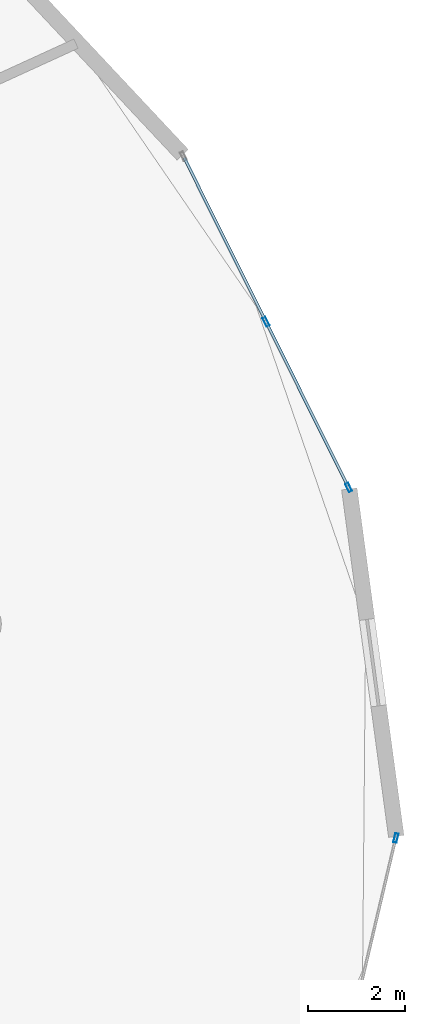
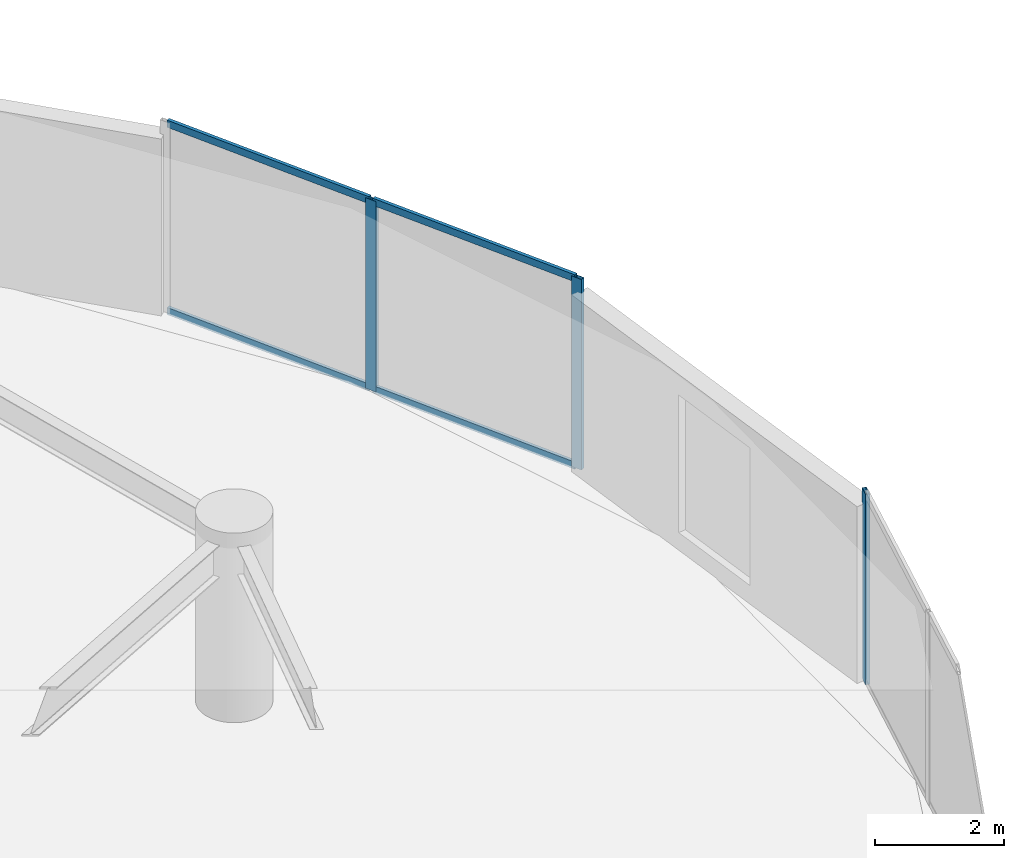
# One storey, part 11 of 24: 7 members, 2 elements without a shape of their own.
"""IFC4 building model written with IfcOpenShell, lengths in metres."""

import ifcopenshell
import ifcopenshell.guid

model = None  # the IFC model being written
_history = None  # IfcOwnerHistory: only IFC2X3 demands one
_inside = {}  # id of a spatial element -> (the spatial element, [elements in it])
_under = {}  # id of a project, library or spatial element -> (it, [spatial elements below it])
_declared = {}  # id of a project -> (the project, [libraries it declares])
_typed = {}  # id of a type object -> (the type object, [elements of that type])
_made_of = {}  # id of a material, layer set ... -> (it, [elements and type objects made of it])


def new_model(schema):
    """Start an empty IFC model of exactly this schema.

    Asked for "IFC4X3", IfcOpenShell would pick the latest addendum, in which some entities
    have other attributes; the version numbers below select the first issue.
    IFC2X3 requires an IfcOwnerHistory on every rooted entity: one is made here for all.
    """
    global model, _history
    if schema == "IFC4X3":
        model = ifcopenshell.file(schema_version=(4, 3, 0, 0))
    else:
        model = ifcopenshell.file(schema=schema)
    _inside.clear()
    _under.clear()
    _declared.clear()
    _typed.clear()
    _made_of.clear()
    _history = None
    if model.schema == "IFC2X3":
        org = make("IfcOrganization", Name="unknown")
        user = make(
            "IfcPersonAndOrganization",
            ThePerson=make("IfcPerson", FamilyName="unknown"),
            TheOrganization=org,
        )
        app = make(
            "IfcApplication",
            ApplicationDeveloper=org,
            Version="unknown",
            ApplicationFullName="unknown",
            ApplicationIdentifier="unknown",
        )
        _history = make(
            "IfcOwnerHistory",
            OwningUser=user,
            OwningApplication=app,
            ChangeAction="ADDED",
            CreationDate=0,
        )
    return model


def make(cls, **values):
    """One entity of the class cls with the attributes given. An attribute that is None is left unset."""
    return model.create_entity(
        cls, **{name: value for name, value in values.items() if value is not None}
    )


def rooted(cls, **values):
    """An entity with a GlobalId (a new one), such as an element, a storey or a relation."""
    return make(cls, GlobalId=ifcopenshell.guid.new(), OwnerHistory=_history, **values)


def si_unit(unit_type, name, prefix=None):
    """IfcSIUnit, for example si_unit("LENGTHUNIT", "METRE", prefix="MILLI")."""
    return make("IfcSIUnit", UnitType=unit_type, Prefix=prefix, Name=name)


def assignment(units):
    """IfcUnitAssignment: the units of a project."""
    return None if units is None else make("IfcUnitAssignment", Units=units)


def point(xyz):
    """IfcCartesianPoint."""
    return None if xyz is None else make("IfcCartesianPoint", Coordinates=xyz)


def direction(xyz):
    """IfcDirection."""
    return None if xyz is None else make("IfcDirection", DirectionRatios=xyz)


def frame(location, z_axis=None, x_axis=None):
    """IfcAxis2Placement3D, a coordinate frame: its origin and axes. An axis left out is left unset."""
    return make(
        "IfcAxis2Placement3D",
        Location=point(location),
        Axis=direction(z_axis),
        RefDirection=direction(x_axis),
    )


def frame_2d(location, x_axis=None):
    """IfcAxis2Placement2D, a coordinate frame in the plane: its origin and x axis."""
    return make(
        "IfcAxis2Placement2D", Location=point(location), RefDirection=direction(x_axis)
    )


def origin():
    """The frame at (0, 0, 0) with its axes left unset."""
    return frame((0.0, 0.0, 0.0))


def origin_2d():
    """The frame at (0, 0) in the plane with its x axis left unset."""
    return frame_2d((0.0, 0.0))


def place(relative_to, where):
    """IfcLocalPlacement: puts the frame where relative to a parent placement (None: the world)."""
    return make(
        "IfcLocalPlacement", PlacementRelTo=relative_to, RelativePlacement=where
    )


def context(
    kind, dimensions, precision=None, world=None, true_north=None, identifier=None
):
    """IfcGeometricRepresentationContext, for example the 3D "Model" context."""
    return make(
        "IfcGeometricRepresentationContext",
        ContextIdentifier=identifier,
        ContextType=kind,
        CoordinateSpaceDimension=dimensions,
        Precision=precision,
        WorldCoordinateSystem=world,
        TrueNorth=true_north,
    )


def subcontext(parent, identifier, kind, view, scale=None):
    """IfcGeometricRepresentationSubContext, for example "Body" below "Model"."""
    return make(
        "IfcGeometricRepresentationSubContext",
        ContextIdentifier=identifier,
        ContextType=kind,
        ParentContext=parent,
        TargetScale=scale,
        TargetView=view,
    )


def project(units=None, contexts=None):
    """IfcProject with its units and contexts."""
    return rooted(
        "IfcProject",
        Name="project",
        RepresentationContexts=contexts,
        UnitsInContext=assignment(units),
    )


def spatial(cls, under=None, at=None, **own):
    """A site, building, storey or space (cls), placed at a placement, below another one or the project."""
    s = rooted(cls, ObjectPlacement=at, **own)
    if under is not None:
        _under.setdefault(under.id(), (under, []))[1].append(s)
    return s


def profile(cls, at=None, kind="AREA", **sizes):
    """A parametric profile (cls). Its sizes go by their IFC names, for example OverallWidth=200.0."""
    return make(cls, ProfileType=kind, Position=at, **sizes)


def hollow_rectangle(**sizes):
    """IfcRectangleHollowProfileDef."""
    return profile("IfcRectangleHollowProfileDef", **sizes)


def extrude(swept, where, along, depth):
    """IfcExtrudedAreaSolid: the profile swept, set in the frame where, extruded along a direction by depth."""
    return make(
        "IfcExtrudedAreaSolid",
        SweptArea=swept,
        Position=where,
        ExtrudedDirection=direction(along),
        Depth=depth,
    )


def shape(context_of_items, identifier, shape_type, items):
    """IfcShapeRepresentation: the items that make up one representation, for example the "Body"."""
    return make(
        "IfcShapeRepresentation",
        ContextOfItems=context_of_items,
        RepresentationIdentifier=identifier,
        RepresentationType=shape_type,
        Items=items,
    )


def source(mapping_origin, context_of_items, identifier, shape_type, items):
    """IfcRepresentationMap: a shape defined once, which mapped items show again and again."""
    return make(
        "IfcRepresentationMap",
        MappingOrigin=mapping_origin,
        MappedRepresentation=shape(context_of_items, identifier, shape_type, items),
    )


def transform(
    local_origin,
    x_axis=None,
    y_axis=None,
    z_axis=None,
    scale=None,
    scale2=None,
    scale3=None,
    uniform=True,
):
    """IfcCartesianTransformationOperator3D, or its non-uniform kind. x_axis, y_axis, z_axis: its Axis1, 2, 3."""
    if uniform:
        return make(
            "IfcCartesianTransformationOperator3D",
            Axis1=direction(x_axis),
            Axis2=direction(y_axis),
            LocalOrigin=point(local_origin),
            Scale=scale,
            Axis3=direction(z_axis),
        )
    return make(
        "IfcCartesianTransformationOperator3DnonUniform",
        Axis1=direction(x_axis),
        Axis2=direction(y_axis),
        LocalOrigin=point(local_origin),
        Scale=scale,
        Axis3=direction(z_axis),
        Scale2=scale2,
        Scale3=scale3,
    )


def mapped(mapping_source, mapping_target):
    """IfcMappedItem: shows the shape of a source again, moved by a transform."""
    return make(
        "IfcMappedItem", MappingSource=mapping_source, MappingTarget=mapping_target
    )


def material(Name=None, Category=None):
    """IfcMaterial."""
    return make("IfcMaterial", Name=Name, Category=Category)


def layer(
    of_material, thickness, ventilated=None, Name=None, Category=None, Priority=None
):
    """IfcMaterialLayer: one layer of a wall or slab, of a material (None: an air gap)."""
    return make(
        "IfcMaterialLayer",
        Material=of_material,
        LayerThickness=thickness,
        IsVentilated=ventilated,
        Name=Name,
        Category=Category,
        Priority=Priority,
    )


def layer_set(layers, Name=None):
    """IfcMaterialLayerSet."""
    return make("IfcMaterialLayerSet", MaterialLayers=layers, LayerSetName=Name)


def material_profile(
    of_material, cross_section, Name=None, Category=None, Priority=None
):
    """IfcMaterialProfile: a cross section and its material."""
    return make(
        "IfcMaterialProfile",
        Name=Name,
        Material=of_material,
        Profile=cross_section,
        Priority=Priority,
        Category=Category,
    )


def profile_set(profiles, Name=None, composite=None):
    """IfcMaterialProfileSet."""
    return make(
        "IfcMaterialProfileSet",
        Name=Name,
        MaterialProfiles=profiles,
        CompositeProfile=composite,
    )


def made_of(thing, what):
    """Note that an element or type object is made of a material, layer set ...; save() writes the relation."""
    if what is not None:
        _made_of.setdefault(what.id(), (what, []))[1].append(thing)
    return thing


def type_object(cls, material=None, **own):
    """A type object (cls), such as IfcWallType, which elements share."""
    return made_of(rooted(cls, **own), material)


def element(
    cls,
    number,
    at=None,
    inside=None,
    cuts=None,
    type_object=None,
    material=None,
    context=None,
    identifier="Body",
    shape_type=None,
    held_by="IfcProductDefinitionShape",
    body=None,
    shapes=None,
    **own,
):
    """One element of the class cls, such as IfcWall. Its Tag is "e" and its number.

    at: its placement. inside: the storey or other place that contains it. cuts: it is an
    opening in that element (IfcRelVoidsElement). A single representation is given by context,
    identifier, shape_type and body (its items); several are given by shapes. held_by: the class
    of the entity that holds the representations. save() writes the other relations.
    """
    e = rooted(cls, Tag="e%d" % number, ObjectPlacement=at, **own)
    if body is not None:
        shapes = [shape(context, identifier, shape_type, body)]
    if shapes is not None:
        e.Representation = make(held_by, Representations=shapes)
    if inside is not None:
        _inside.setdefault(inside.id(), (inside, []))[1].append(e)
    if cuts is not None:
        rooted(
            "IfcRelVoidsElement", RelatingBuildingElement=cuts, RelatedOpeningElement=e
        )
    if type_object is not None:
        _typed.setdefault(type_object.id(), (type_object, []))[1].append(e)
    return made_of(e, material)


def aggregate(whole, parts):
    """IfcRelAggregates: a whole, such as a stair, and the parts it consists of."""
    return rooted("IfcRelAggregates", RelatingObject=whole, RelatedObjects=parts)


def save(model, path):
    """Write the relations noted so far, then the file.

    IfcRelAggregates (storeys below a building ...), IfcRelContainedInSpatialStructure (elements
    in a storey), IfcRelDefinesByType, IfcRelAssociatesMaterial and IfcRelDeclares: one each for
    every whole, place, type object, material and project.
    """
    for whole, parts in _under.values():
        aggregate(whole, parts)
    for where, things in _inside.values():
        rooted(
            "IfcRelContainedInSpatialStructure",
            RelatedElements=things,
            RelatingStructure=where,
        )
    for kind, things in _typed.values():
        rooted("IfcRelDefinesByType", RelatedObjects=things, RelatingType=kind)
    for what, things in _made_of.values():
        rooted("IfcRelAssociatesMaterial", RelatedObjects=things, RelatingMaterial=what)
    for by, libraries in _declared.values():
        rooted("IfcRelDeclares", RelatingContext=by, RelatedDefinitions=libraries)
    model.write(path)


model = new_model("IFC4")

# Units and contexts
model_context = context("Model", 3, precision=1e-05, world=origin(), true_north=direction((0.0, 1.0)))
body_context = subcontext(model_context, "Body", "Model", "MODEL_VIEW")
ifc_project = project(units=[si_unit("LENGTHUNIT", "METRE"), si_unit("AREAUNIT", "SQUARE_METRE"), si_unit("VOLUMEUNIT", "CUBIC_METRE"), si_unit("PLANEANGLEUNIT", "RADIAN"), si_unit("MASSUNIT", "GRAM", prefix="KILO")], contexts=[model_context])

# Site, building, storey
site_placement = place(None, origin())
site = spatial("IfcSite", under=ifc_project, at=site_placement, CompositionType="ELEMENT")
building_placement = place(site_placement, origin())
building = spatial("IfcBuilding", under=site, at=building_placement, Name="Solvirekh Grand Hotel", CompositionType="ELEMENT")
storey_placement = place(building_placement, frame((0.0, 0.0, 86.0)))
storey = spatial("IfcBuildingStorey", under=building, at=storey_placement, Name="L21", CompositionType="ELEMENT", Elevation=86.0)

# Curtain wall, member
ifc_material = material(Name="Anodized Bronze Aluminium 6063-T6", Category="aluminium")
ifc_layer = layer(ifc_material, 0.18994140625)
ifc_layer_set = layer_set([ifc_layer], Name="Anodized Bronze Aluminium 6063-T6")
curtain_wall_type = type_object("IfcCurtainWallType", Name="CW_Sys2_LowZoneFlushBronzeCW", PredefinedType="NOTDEFINED", material=ifc_layer_set)
curtain_wall_1_placement = place(storey_placement, origin())
curtain_wall_1 = element("IfcCurtainWall", 1, at=curtain_wall_1_placement, inside=storey, type_object=curtain_wall_type, Name="L21 unitised bronze-glass curtain wall CW-L21-C01", PredefinedType="NOTDEFINED")
ifc_material_profile_1 = material_profile(ifc_material, hollow_rectangle(XDim=0.070068359375, YDim=0.18994140625, WallThickness=0.0048828125, at=origin_2d()), Name="ALU RHS 190X70X5")
ifc_profile_set_1 = profile_set([ifc_material_profile_1], Name="Anodized Bronze Aluminium 6063-T6")
member_type_1 = type_object("IfcMemberType", Name="CWMullion_Sys2", PredefinedType="MULLION", material=ifc_profile_set_1)
shared_shape_1 = source(origin(), body_context, "Body", "SweptSolid", [
    extrude(hollow_rectangle(XDim=0.070068359375, YDim=0.18994140625, WallThickness=0.0048828125, at=origin_2d()), origin(), (0.0, 0.0, 1.0), 3.60009765625),
])
member_1_placement = place(storey_placement, frame((27.342041015625, -4.4140625, 0.0), z_axis=(0.0, 0.0, 1.0), x_axis=(-0.973082843945, 0.230455589692, 0.0)))
member_1 = element("IfcMember", 2, at=member_1_placement, type_object=member_type_1, Name="U02 mullion 3", PredefinedType="MULLION", context=body_context, shape_type="MappedRepresentation", body=[
    mapped(shared_shape_1, transform((0.0, 0.0, 0.0), x_axis=(1.0, 0.0, 0.0), y_axis=(0.0, 1.0, 0.0), z_axis=(0.0, 0.0, 1.0), scale=1.0)),
])
aggregate(curtain_wall_1, [member_1])

# Curtain wall, members
curtain_wall_2_placement = place(storey_placement, origin())
curtain_wall_2 = element("IfcCurtainWall", 3, at=curtain_wall_2_placement, inside=storey, type_object=curtain_wall_type, Name="L21 unitised bronze-glass curtain wall CW-L21-C03", PredefinedType="NOTDEFINED")
member_2_placement = place(storey_placement, frame((26.365478515625, 2.8193359375, 0.0), z_axis=(0.0, 0.0, 1.0), x_axis=(-0.89486802482, -0.44633083935, 0.0)))
member_2 = element("IfcMember", 4, at=member_2_placement, type_object=member_type_1, Name="U02 mullion 1", PredefinedType="MULLION", context=body_context, shape_type="MappedRepresentation", body=[
    mapped(shared_shape_1, transform((0.0, 0.0, 0.0), x_axis=(1.0, 0.0, 0.0), y_axis=(0.0, 1.0, 0.0), z_axis=(0.0, 0.0, 1.0), scale=1.0)),
])
member_3_placement = place(storey_placement, frame((24.66162109375, 6.235595703125, 0.0), z_axis=(0.0, 0.0, 1.0), x_axis=(-0.89486802482, -0.44633083935, 0.0)))
member_3 = element("IfcMember", 5, at=member_3_placement, type_object=member_type_1, Name="U02 mullion 2", PredefinedType="MULLION", context=body_context, shape_type="MappedRepresentation", body=[
    mapped(shared_shape_1, transform((0.0, 0.0, 0.0), x_axis=(1.0, 0.0, 0.0), y_axis=(0.0, 1.0, 0.0), z_axis=(0.0, 0.0, 1.0), scale=1.0)),
])
ifc_material_profile_2 = material_profile(ifc_material, hollow_rectangle(XDim=0.06005859375, YDim=0.135009765625, WallThickness=0.00390625, at=origin_2d()), Name="ALU RHS 135X60X4")
ifc_profile_set_2 = profile_set([ifc_material_profile_2], Name="Anodized Bronze Aluminium 6063-T6")
member_type_2 = type_object("IfcMemberType", Name="CWTransom_Sys2", PredefinedType="USERDEFINED", material=ifc_profile_set_2)
shared_shape_2 = source(origin(), body_context, "Body", "SweptSolid", [
    extrude(hollow_rectangle(XDim=0.06005859375, YDim=0.135009765625, WallThickness=0.00390625, at=origin_2d()), origin(), (0.0, 0.0, 1.0), 3.74755859375),
])
member_4_placement = place(storey_placement, frame((26.349853515625, 2.8505859375, 0.030029296875), z_axis=(-0.446379533951, 0.894843735895, 0.0), x_axis=(-0.894843735895, -0.446379533951, 0.0)))
member_4 = element("IfcMember", 6, at=member_4_placement, type_object=member_type_2, Name="U02 transom 1.1", ObjectType="TRANSOM", PredefinedType="USERDEFINED", context=body_context, shape_type="MappedRepresentation", body=[
    mapped(shared_shape_2, transform((0.0, 0.0, 0.0), x_axis=(1.0, 0.0, 0.0), y_axis=(0.0, 1.0, 0.0), z_axis=(0.0, 0.0, 1.0), scale=1.0)),
])
member_5_placement = place(storey_placement, frame((26.349853515625, 2.8505859375, 3.570068359375), z_axis=(-0.446379533951, 0.894843735895, 0.0), x_axis=(-0.894843735895, -0.446379533951, 0.0)))
member_5 = element("IfcMember", 7, at=member_5_placement, type_object=member_type_2, Name="U02 transom 1.2", ObjectType="TRANSOM", PredefinedType="USERDEFINED", context=body_context, shape_type="MappedRepresentation", body=[
    mapped(shared_shape_2, transform((0.0, 0.0, 0.0), x_axis=(1.0, 0.0, 0.0), y_axis=(0.0, 1.0, 0.0), z_axis=(0.0, 0.0, 1.0), scale=1.0)),
])
member_6_placement = place(storey_placement, frame((24.64599609375, 6.266845703125, 0.030029296875), z_axis=(-0.446379533951, 0.894843735895, 0.0), x_axis=(-0.894843735895, -0.446379533951, 0.0)))
member_6 = element("IfcMember", 8, at=member_6_placement, type_object=member_type_2, Name="U02 transom 2.1", ObjectType="TRANSOM", PredefinedType="USERDEFINED", context=body_context, shape_type="MappedRepresentation", body=[
    mapped(shared_shape_2, transform((0.0, 0.0, 0.0), x_axis=(1.0, 0.0, 0.0), y_axis=(0.0, 1.0, 0.0), z_axis=(0.0, 0.0, 1.0), scale=1.0)),
])
member_7_placement = place(storey_placement, frame((24.64599609375, 6.266845703125, 3.570068359375), z_axis=(-0.446379533951, 0.894843735895, 0.0), x_axis=(-0.894843735895, -0.446379533951, 0.0)))
member_7 = element("IfcMember", 9, at=member_7_placement, type_object=member_type_2, Name="U02 transom 2.2", ObjectType="TRANSOM", PredefinedType="USERDEFINED", context=body_context, shape_type="MappedRepresentation", body=[
    mapped(shared_shape_2, transform((0.0, 0.0, 0.0), x_axis=(1.0, 0.0, 0.0), y_axis=(0.0, 1.0, 0.0), z_axis=(0.0, 0.0, 1.0), scale=1.0)),
])
aggregate(curtain_wall_2, [member_2, member_3, member_4, member_5, member_6, member_7])

save(model, "model.ifc")
